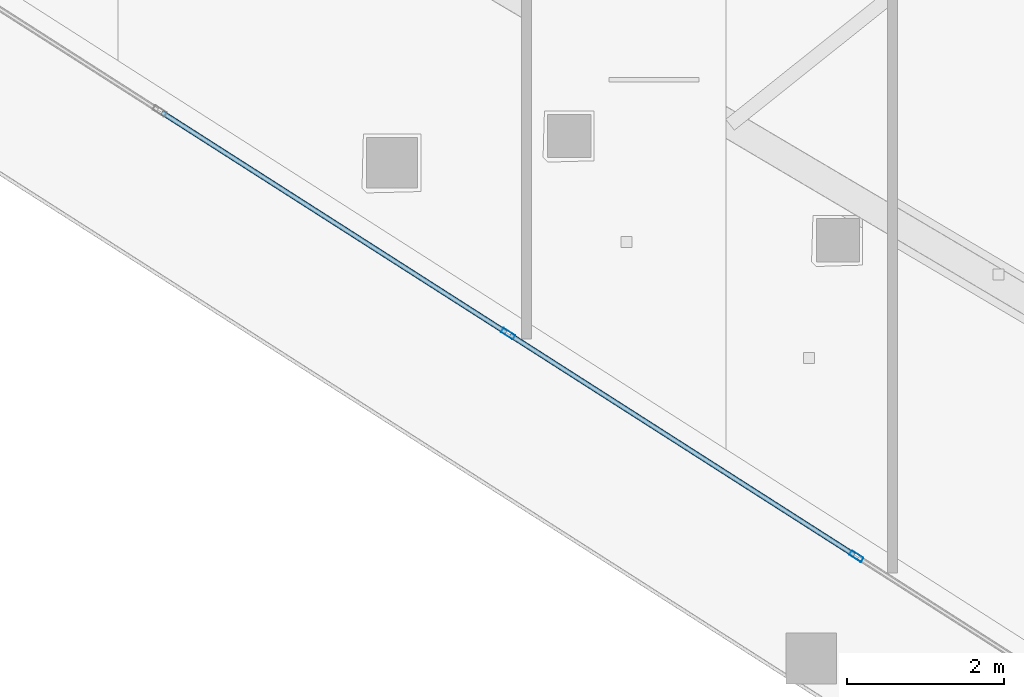
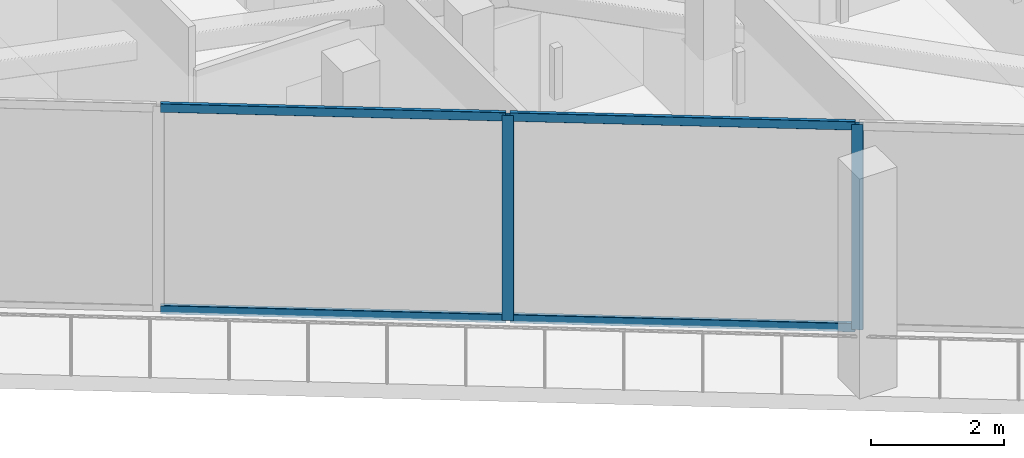
# One storey, part 4 of 43: 6 members, 1 element without a shape of its own.
"""IFC4 building model written with IfcOpenShell, lengths in metres."""

from ifc_helpers import new_model, si_unit, direction, frame, origin, origin_2d, place, context, subcontext, project, spatial, hollow_rectangle, extrude, material, layer, layer_set, material_profile, profile_set, type_object, element, aggregate, save


model = new_model("IFC4")

# Units and contexts
model_context = context("Model", 3, precision=1e-05, world=origin(), true_north=direction((0.0, 1.0)))
body_context = subcontext(model_context, "Body", "Model", "MODEL_VIEW")
ifc_project = project(units=[si_unit("LENGTHUNIT", "METRE"), si_unit("AREAUNIT", "SQUARE_METRE"), si_unit("VOLUMEUNIT", "CUBIC_METRE"), si_unit("PLANEANGLEUNIT", "RADIAN"), si_unit("MASSUNIT", "GRAM", prefix="KILO")], contexts=[model_context])

# Site, building, storey
site_placement = place(None, origin())
site = spatial("IfcSite", under=ifc_project, at=site_placement, CompositionType="ELEMENT")
building_placement = place(site_placement, origin())
building = spatial("IfcBuilding", under=site, at=building_placement, Name="Qorvath Tower", CompositionType="ELEMENT")
storey_placement = place(building_placement, frame((0.0, 0.0, 213.14990234375)))
storey = spatial("IfcBuildingStorey", under=building, at=storey_placement, Name="L49", CompositionType="ELEMENT", Elevation=213.14990234375)

# Curtain wall, members
ifc_material_1 = material(Name="Anodised aluminium and triple low-E glass", Category="aluminium")
ifc_layer = layer(ifc_material_1, 0.179931640625)
ifc_layer_set = layer_set([ifc_layer], Name="CW-SYS-3")
curtain_wall_type = type_object("IfcCurtainWallType", Name="CW-SYS-3", PredefinedType="NOTDEFINED", material=ifc_layer_set)
curtain_wall_placement = place(storey_placement, origin())
curtain_wall = element("IfcCurtainWall", 1, at=curtain_wall_placement, inside=storey, type_object=curtain_wall_type, Name="Curtain Wall CW-3 CW-T-L49-2.2", PredefinedType="NOTDEFINED")
ifc_material_2 = material(Name="Anodised aluminium 6063-T6", Category="aluminium")
ifc_material_profile_1 = material_profile(ifc_material_2, hollow_rectangle(XDim=0.06494140625, YDim=0.179931640625, WallThickness=0.00341796875, InnerFilletRadius=0.00341796875, OuterFilletRadius=0.007080078125, at=origin_2d()), Name="CWM 180x65")
ifc_profile_set_1 = profile_set([ifc_material_profile_1], Name="Anodised aluminium 6063-T6")
member_type_1 = type_object("IfcMemberType", Name="CWM-180", PredefinedType="MULLION", material=ifc_profile_set_1)
member_1_placement = place(storey_placement, frame((-34.885498046875, -15.31689453125, 0.0), z_axis=(0.0, 0.0, 1.0), x_axis=(0.538532547612, 0.842604708723, 0.0)))
member_1 = element("IfcMember", 2, at=member_1_placement, type_object=member_type_1, Name="CW-3 mullion 4", PredefinedType="MULLION", context=body_context, shape_type="SweptSolid", body=[
    extrude(hollow_rectangle(XDim=0.06494140625, YDim=0.179931640625, WallThickness=0.00341796875, InnerFilletRadius=0.00341796875, OuterFilletRadius=0.007080078125, at=origin_2d()), origin(), (0.0, 0.0, 1.0), 3.780029296875),
])
member_2_placement = place(storey_placement, frame((-30.44091796875, -18.15771484375, 0.0), z_axis=(0.0, 0.0, 1.0), x_axis=(0.538532547612, 0.842604708723, 0.0)))
member_2 = element("IfcMember", 3, at=member_2_placement, type_object=member_type_1, Name="CW-3 mullion 5", PredefinedType="MULLION", context=body_context, shape_type="SweptSolid", body=[
    extrude(hollow_rectangle(XDim=0.06494140625, YDim=0.179931640625, WallThickness=0.00341796875, InnerFilletRadius=0.00341796875, OuterFilletRadius=0.007080078125, at=origin_2d()), origin(), (0.0, 0.0, 1.0), 3.780029296875),
])
ifc_material_3 = material(Name="Anodised aluminium 6063-T6", Category="aluminium")
ifc_material_profile_2 = material_profile(ifc_material_3, hollow_rectangle(XDim=0.06494140625, YDim=0.159912109375, WallThickness=0.00341796875, InnerFilletRadius=0.00341796875, OuterFilletRadius=0.007080078125, at=origin_2d()), Name="CWT 160x65")
ifc_profile_set_2 = profile_set([ifc_material_profile_2], Name="Anodised aluminium 6063-T6")
member_type_2 = type_object("IfcMemberType", Name="CWT-160", PredefinedType="USERDEFINED", material=ifc_profile_set_2)
member_3_placement = place(storey_placement, frame((-39.302978515625, -12.49365234375, 0.032470703125), z_axis=(0.842621841948, -0.538505739498, 0.0), x_axis=(0.538505739498, 0.842621841948, 0.0)))
member_3 = element("IfcMember", 4, at=member_3_placement, type_object=member_type_2, Name="CW-3 transom 3.1", ObjectType="TRANSOM", PredefinedType="USERDEFINED", context=body_context, shape_type="SweptSolid", body=[
    extrude(hollow_rectangle(XDim=0.06494140625, YDim=0.159912109375, WallThickness=0.00341796875, InnerFilletRadius=0.00341796875, OuterFilletRadius=0.007080078125, at=origin_2d()), origin(), (0.0, 0.0, 1.0), 5.210205078125),
])
member_4_placement = place(storey_placement, frame((-39.302978515625, -12.49365234375, 3.74755859375), z_axis=(0.842621841948, -0.538505739498, 0.0), x_axis=(0.538505739498, 0.842621841948, 0.0)))
member_4 = element("IfcMember", 5, at=member_4_placement, type_object=member_type_2, Name="CW-3 transom 3.2", ObjectType="TRANSOM", PredefinedType="USERDEFINED", context=body_context, shape_type="SweptSolid", body=[
    extrude(hollow_rectangle(XDim=0.06494140625, YDim=0.159912109375, WallThickness=0.00341796875, InnerFilletRadius=0.00341796875, OuterFilletRadius=0.007080078125, at=origin_2d()), origin(), (0.0, 0.0, 1.0), 5.210205078125),
])
member_5_placement = place(storey_placement, frame((-34.858154296875, -15.33447265625, 0.032470703125), z_axis=(0.842608252522, -0.538527002835, 0.0), x_axis=(0.538527002835, 0.842608252522, 0.0)))
member_5 = element("IfcMember", 6, at=member_5_placement, type_object=member_type_2, Name="CW-3 transom 4.1", ObjectType="TRANSOM", PredefinedType="USERDEFINED", context=body_context, shape_type="SweptSolid", body=[
    extrude(hollow_rectangle(XDim=0.06494140625, YDim=0.159912109375, WallThickness=0.00341796875, InnerFilletRadius=0.00341796875, OuterFilletRadius=0.007080078125, at=origin_2d()), origin(), (0.0, 0.0, 1.0), 5.2099609375),
])
member_6_placement = place(storey_placement, frame((-34.858154296875, -15.33447265625, 3.74755859375), z_axis=(0.842608252522, -0.538527002835, 0.0), x_axis=(0.538527002835, 0.842608252522, 0.0)))
member_6 = element("IfcMember", 7, at=member_6_placement, type_object=member_type_2, Name="CW-3 transom 4.2", ObjectType="TRANSOM", PredefinedType="USERDEFINED", context=body_context, shape_type="SweptSolid", body=[
    extrude(hollow_rectangle(XDim=0.06494140625, YDim=0.159912109375, WallThickness=0.00341796875, InnerFilletRadius=0.00341796875, OuterFilletRadius=0.007080078125, at=origin_2d()), origin(), (0.0, 0.0, 1.0), 5.2099609375),
])
aggregate(curtain_wall, [member_1, member_2, member_3, member_4, member_5, member_6])

save(model, "model.ifc")
